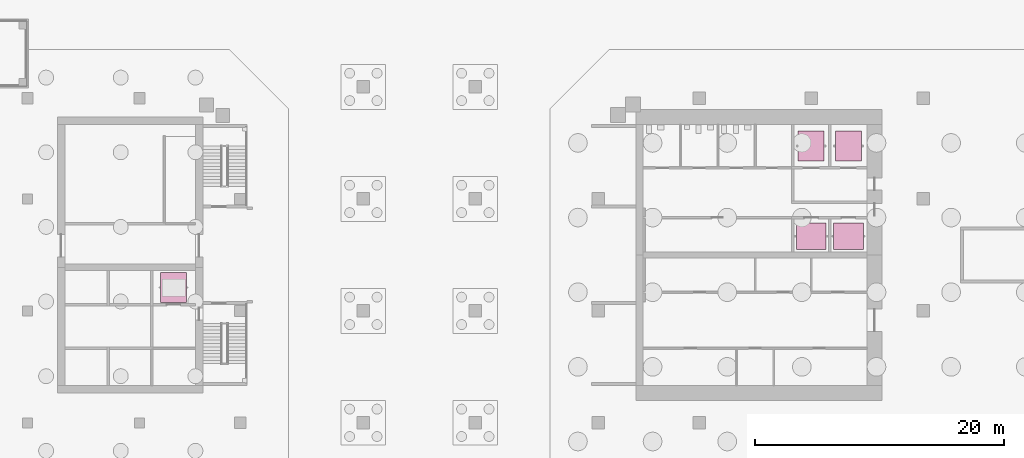
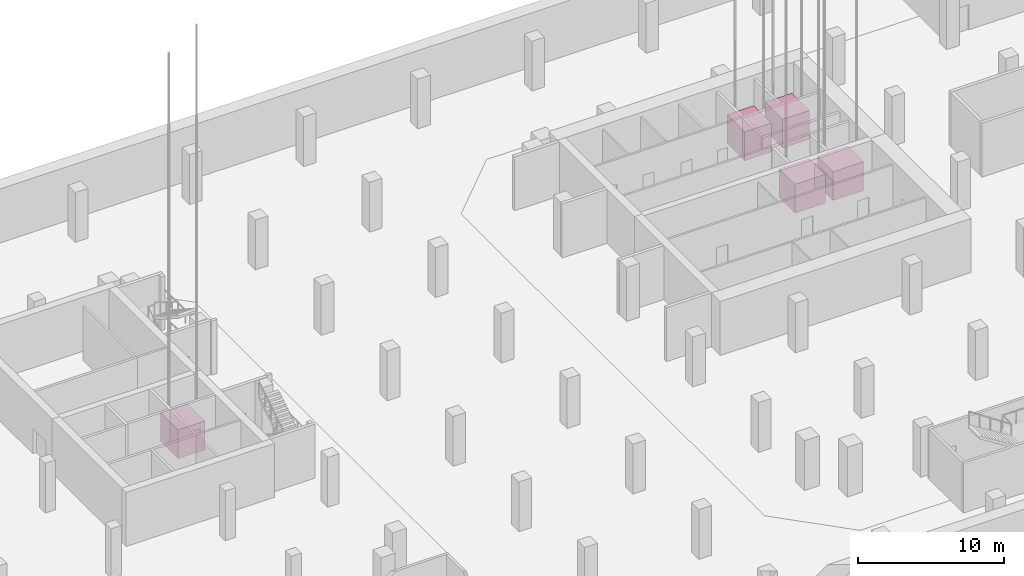
# One storey, part 29 of 30: 5 transport elements.
"""IFC4 building model written with IfcOpenShell, lengths in metres."""

from ifc_helpers import new_model, si_unit, direction, frame, origin, origin_2d, place, context, subcontext, project, spatial, rectangle, extrude, material, type_object, element, save


model = new_model("IFC4")

# Units and contexts
model_context = context("Model", 3, precision=1e-05, world=origin(), true_north=direction((0.0, 1.0)))
body_context = subcontext(model_context, "Body", "Model", "MODEL_VIEW")
ifc_project = project(units=[si_unit("LENGTHUNIT", "METRE"), si_unit("AREAUNIT", "SQUARE_METRE"), si_unit("VOLUMEUNIT", "CUBIC_METRE"), si_unit("PLANEANGLEUNIT", "RADIAN"), si_unit("MASSUNIT", "GRAM", prefix="KILO")], contexts=[model_context])

# Site, building, storey
site_placement = place(None, origin())
site = spatial("IfcSite", under=ifc_project, at=site_placement, CompositionType="ELEMENT")
building_placement = place(site_placement, origin())
building = spatial("IfcBuilding", under=site, at=building_placement, Name="Cinnabar Reach Civic Tower", CompositionType="ELEMENT")
storey_placement = place(building_placement, frame((0.0, 0.0, -14.0)))
storey = spatial("IfcBuildingStorey", under=building, at=storey_placement, Name="B3", CompositionType="ELEMENT", Elevation=-14.0)

# Transport elements
ifc_material = material(Name="Stainless steel car", Category="steel")
transport_element_type_1 = type_object("IfcTransportElementType", Name="T1 Fire-fighting lift car 2100 x 2400", PredefinedType="ELEVATOR", material=ifc_material)
for number, where, z_axis, x_axis, name in (
    (1, (18.0, 40.25, 0.0), (0.0, 0.0, 1.0), (1.0, 0.0, 0.0), "Fire-fighting lift T1-FF1"),
    (2, (21.0, 40.25, 0.0), (0.0, 0.0, 1.0), (1.0, 0.0, 0.0), "Fire-fighting lift T1-FF2"),
):
    element("IfcTransportElement", number, at=place(storey_placement, frame(where, z_axis=z_axis, x_axis=x_axis)), inside=storey, type_object=transport_element_type_1, Name=name, PredefinedType="ELEVATOR", context=body_context, shape_type="SweptSolid", body=[
        extrude(rectangle(XDim=2.1, YDim=2.4, at=origin_2d()), origin(), (0.0, 0.0, 1.0), 2.4),
    ])
transport_element_type_2 = type_object("IfcTransportElementType", Name="T1 lift car 2400 x 2150", PredefinedType="ELEVATOR", material=ifc_material)
for number, where, z_axis, x_axis, name in (
    (3, (18.0, 33.0, 0.0), (0.0, 0.0, 1.0), (1.0, 0.0, 0.0), "T1-SV1"),
    (4, (21.0, 33.0, 0.0), (0.0, 0.0, 1.0), (1.0, 0.0, 0.0), "T1-SV2"),
):
    element("IfcTransportElement", number, at=place(storey_placement, frame(where, z_axis=z_axis, x_axis=x_axis)), inside=storey, type_object=transport_element_type_2, Name=name, PredefinedType="ELEVATOR", context=body_context, shape_type="SweptSolid", body=[
        extrude(rectangle(XDim=2.4, YDim=2.15, at=origin_2d()), origin(), (0.0, 0.0, 1.0), 2.4),
    ])
transport_element_type_3 = type_object("IfcTransportElementType", Name="T2 Fire-fighting lift car", PredefinedType="ELEVATOR", material=ifc_material)
transport_element_placement = place(storey_placement, frame((-33.25, 28.875, 0.0), z_axis=(0.0, 0.0, 1.0), x_axis=(1.0, 0.0, 0.0)))
element("IfcTransportElement", 5, at=transport_element_placement, inside=storey, type_object=transport_element_type_3, Name="T2-FF1", PredefinedType="ELEVATOR", context=body_context, shape_type="SweptSolid", body=[
    extrude(rectangle(XDim=2.1, YDim=2.4, at=origin_2d()), origin(), (0.0, 0.0, 1.0), 2.4),
])

save(model, "model.ifc")
